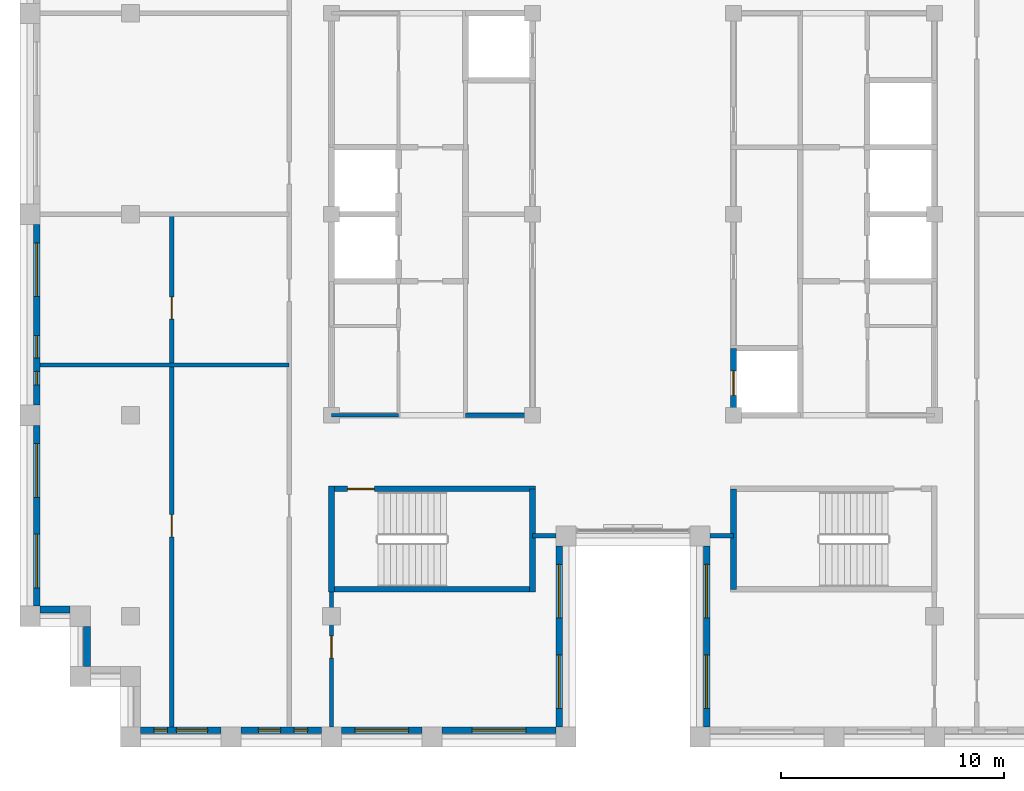
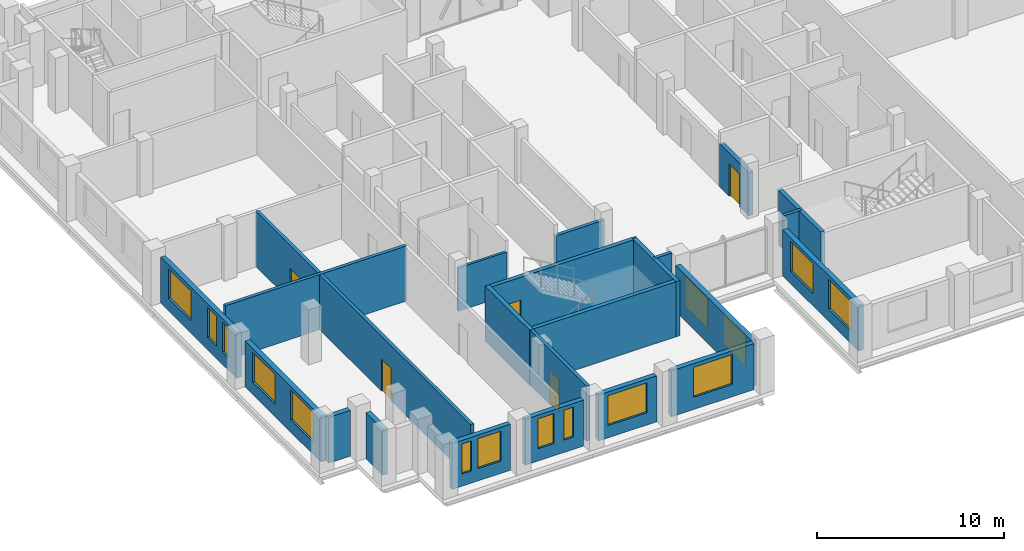
# One storey, part 6 of 13: 23 walls, 15 windows, 5 doors, 20 openings.
"""IFC4 building model written with IfcOpenShell, lengths in metres."""

from ifc_helpers import new_model, si_unit, direction, frame, frame_2d, origin, place, context, subcontext, project, spatial, rectangle, extrude, material, layer, layer_set, type_object, element, fill, save


model = new_model("IFC4")

# Units and contexts
model_context = context("Model", 3, precision=1e-05, world=origin(), true_north=direction((0.0, 1.0)))
body_context = subcontext(model_context, "Body", "Model", "MODEL_VIEW")
ifc_project = project(units=[si_unit("LENGTHUNIT", "METRE"), si_unit("AREAUNIT", "SQUARE_METRE"), si_unit("VOLUMEUNIT", "CUBIC_METRE"), si_unit("PLANEANGLEUNIT", "RADIAN"), si_unit("MASSUNIT", "GRAM", prefix="KILO")], contexts=[model_context])

# Site, building, storey
site_placement = place(None, origin())
site = spatial("IfcSite", under=ifc_project, at=site_placement, CompositionType="ELEMENT")
building_placement = place(site_placement, origin())
building = spatial("IfcBuilding", under=site, at=building_placement, Name="Corbelhall Arena Tower", CompositionType="ELEMENT")
storey_placement = place(building_placement, frame((0.0, 0.0, 316.0)))
storey = spatial("IfcBuildingStorey", under=building, at=storey_placement, Name="L69", CompositionType="ELEMENT", Elevation=316.0)

# Wall, openings, windows
ifc_material_1 = material(Name="Precast concrete C40/50 with granite facing", Category="masonry")
ifc_layer_1 = layer(ifc_material_1, 0.300048828125)
ifc_layer_set_1 = layer_set([ifc_layer_1], Name="EV-IW1 Infill panel 300")
wall_type_1 = type_object("IfcWallType", Name="EV-IW1 Infill panel 300", PredefinedType="SOLIDWALL", material=ifc_layer_set_1)
wall_1_placement = place(storey_placement, frame((-26.699951171875, -0.449951171875, 0.0), z_axis=(0.0, 0.0, 1.0), x_axis=(0.0, -1.0, 0.0)))
wall_1 = element("IfcWall", 1, at=wall_1_placement, inside=storey, type_object=wall_type_1, Name="Infill panel IW1", PredefinedType="SOLIDWALL", context=body_context, shape_type="SweptSolid", body=[
    extrude(rectangle(XDim=8.10009765625, YDim=0.300048828125, at=frame_2d((4.050048828125, 0.0))), origin(), (0.0, 0.0, 1.0), 2.989990234375),
])
opening_1_placement = place(wall_1_placement, frame((0.824951171875, 0.0, 0.800048828125)))
opening_1 = element("IfcOpeningElement", 2, at=opening_1_placement, cuts=wall_1, Name="Opening WN1", PredefinedType="OPENING", context=body_context, shape_type="SweptSolid", body=[
    extrude(rectangle(XDim=2.39990234375, YDim=1.949951171875, at=frame_2d((1.199951171875, 0.97509765625))), frame((0.0, 0.14990234375, 0.0), z_axis=(0.0, -1.0, 0.0), x_axis=(1.0, 0.0, 0.0)), (0.0, 0.0, 1.0), 0.300048828125),
])
opening_2_placement = place(wall_1_placement, frame((4.987548828125, 0.0, 0.800048828125)))
opening_2 = element("IfcOpeningElement", 3, at=opening_2_placement, cuts=wall_1, Name="Opening WN6", PredefinedType="OPENING", context=body_context, shape_type="SweptSolid", body=[
    extrude(rectangle(XDim=1.0, YDim=1.949951171875, at=frame_2d((0.5, 0.97509765625))), frame((0.0, 0.14990234375, 0.0), z_axis=(0.0, -1.0, 0.0), x_axis=(1.0, 0.0, 0.0)), (0.0, 0.0, 1.0), 0.300048828125),
])
opening_3_placement = place(wall_1_placement, frame((6.58740234375, 0.0, 0.800048828125)))
opening_3 = element("IfcOpeningElement", 4, at=opening_3_placement, cuts=wall_1, Name="Opening WN5", PredefinedType="OPENING", context=body_context, shape_type="SweptSolid", body=[
    extrude(rectangle(XDim=0.60009765625, YDim=1.949951171875, at=frame_2d((0.300048828125, 0.97509765625))), frame((0.0, 0.14990234375, 0.0), z_axis=(0.0, -1.0, 0.0), x_axis=(1.0, 0.0, 0.0)), (0.0, 0.0, 1.0), 0.300048828125),
])
ifc_material_2 = material(Name="Aluminium black anodised", Category="aluminium")
window_type_1 = type_object("IfcWindowType", Name="EV-WN1 Office window", PartitioningType="SINGLE_PANEL", PredefinedType="WINDOW", material=ifc_material_2)
window_1_placement = place(opening_1_placement, origin())
window_1 = element("IfcWindow", 5, at=window_1_placement, inside=storey, type_object=window_type_1, Name="Window WN1", OverallHeight=1.949951171875, OverallWidth=2.39990234375, PartitioningType="SINGLE_PANEL", PredefinedType="WINDOW", context=body_context, shape_type="SweptSolid", body=[
    extrude(rectangle(XDim=2.39990234375, YDim=1.949951171875, at=frame_2d((1.199951171875, 0.97509765625))), frame((0.0, 0.030029296875, 0.0), z_axis=(0.0, -1.0, 0.0), x_axis=(1.0, 0.0, 0.0)), (0.0, 0.0, 1.0), 0.06005859375),
])
fill(opening_1, window_1)
window_type_2 = type_object("IfcWindowType", Name="EV-WN5 Office window 600", PartitioningType="SINGLE_PANEL", PredefinedType="WINDOW", material=ifc_material_2)
window_2_placement = place(opening_3_placement, origin())
window_2 = element("IfcWindow", 6, at=window_2_placement, inside=storey, type_object=window_type_2, Name="Window WN5", OverallHeight=1.949951171875, OverallWidth=0.60009765625, PartitioningType="SINGLE_PANEL", PredefinedType="WINDOW", context=body_context, shape_type="SweptSolid", body=[
    extrude(rectangle(XDim=0.60009765625, YDim=1.949951171875, at=frame_2d((0.300048828125, 0.97509765625))), frame((0.0, 0.030029296875, 0.0), z_axis=(0.0, -1.0, 0.0), x_axis=(1.0, 0.0, 0.0)), (0.0, 0.0, 1.0), 0.06005859375),
])
fill(opening_3, window_2)
window_type_3 = type_object("IfcWindowType", Name="EV-WN6 Office window 1000", PartitioningType="SINGLE_PANEL", PredefinedType="WINDOW", material=ifc_material_2)
window_3_placement = place(opening_2_placement, origin())
window_3 = element("IfcWindow", 7, at=window_3_placement, inside=storey, type_object=window_type_3, Name="Window WN6", OverallHeight=1.949951171875, OverallWidth=1.0, PartitioningType="SINGLE_PANEL", PredefinedType="WINDOW", context=body_context, shape_type="SweptSolid", body=[
    extrude(rectangle(XDim=1.0, YDim=1.949951171875, at=frame_2d((0.5, 0.97509765625))), frame((0.0, 0.030029296875, 0.0), z_axis=(0.0, -1.0, 0.0), x_axis=(1.0, 0.0, 0.0)), (0.0, 0.0, 1.0), 0.06005859375),
])
fill(opening_2, window_3)

wall_2_placement = place(storey_placement, frame((-26.699951171875, -9.449951171875, 0.0), z_axis=(0.0, 0.0, 1.0), x_axis=(0.0, -1.0, 0.0)))
wall_2 = element("IfcWall", 8, at=wall_2_placement, inside=storey, type_object=wall_type_1, Name="Infill panel IW1", PredefinedType="SOLIDWALL", context=body_context, shape_type="SweptSolid", body=[
    extrude(rectangle(XDim=8.10009765625, YDim=0.300048828125, at=frame_2d((4.050048828125, 0.0))), origin(), (0.0, 0.0, 1.0), 2.989990234375),
])
opening_4_placement = place(wall_2_placement, frame((0.824951171875, 0.0, 0.800048828125)))
opening_4 = element("IfcOpeningElement", 9, at=opening_4_placement, cuts=wall_2, Name="Opening WN1", PredefinedType="OPENING", context=body_context, shape_type="SweptSolid", body=[
    extrude(rectangle(XDim=2.39990234375, YDim=1.949951171875, at=frame_2d((1.199951171875, 0.97509765625))), frame((0.0, 0.14990234375, 0.0), z_axis=(0.0, -1.0, 0.0), x_axis=(1.0, 0.0, 0.0)), (0.0, 0.0, 1.0), 0.300048828125),
])
opening_5_placement = place(wall_2_placement, frame((4.875, 0.0, 0.800048828125)))
opening_5 = element("IfcOpeningElement", 10, at=opening_5_placement, cuts=wall_2, Name="Opening WN1", PredefinedType="OPENING", context=body_context, shape_type="SweptSolid", body=[
    extrude(rectangle(XDim=2.39990234375, YDim=1.949951171875, at=frame_2d((1.199951171875, 0.97509765625))), frame((0.0, 0.14990234375, 0.0), z_axis=(0.0, -1.0, 0.0), x_axis=(1.0, 0.0, 0.0)), (0.0, 0.0, 1.0), 0.300048828125),
])
window_4_placement = place(opening_4_placement, origin())
window_4 = element("IfcWindow", 11, at=window_4_placement, inside=storey, type_object=window_type_1, Name="Window WN1", OverallHeight=1.949951171875, OverallWidth=2.39990234375, PartitioningType="SINGLE_PANEL", PredefinedType="WINDOW", context=body_context, shape_type="SweptSolid", body=[
    extrude(rectangle(XDim=2.39990234375, YDim=1.949951171875, at=frame_2d((1.199951171875, 0.97509765625))), frame((0.0, 0.030029296875, 0.0), z_axis=(0.0, -1.0, 0.0), x_axis=(1.0, 0.0, 0.0)), (0.0, 0.0, 1.0), 0.06005859375),
])
fill(opening_4, window_4)
window_5_placement = place(opening_5_placement, origin())
window_5 = element("IfcWindow", 12, at=window_5_placement, inside=storey, type_object=window_type_1, Name="Window WN1", OverallHeight=1.949951171875, OverallWidth=2.39990234375, PartitioningType="SINGLE_PANEL", PredefinedType="WINDOW", context=body_context, shape_type="SweptSolid", body=[
    extrude(rectangle(XDim=2.39990234375, YDim=1.949951171875, at=frame_2d((1.199951171875, 0.97509765625))), frame((0.0, 0.030029296875, 0.0), z_axis=(0.0, -1.0, 0.0), x_axis=(1.0, 0.0, 0.0)), (0.0, 0.0, 1.0), 0.06005859375),
])
fill(opening_5, window_5)

# Walls
wall_3_placement = place(storey_placement, frame((-26.550048828125, -17.699951171875, 0.0), z_axis=(0.0, 0.0, 1.0), x_axis=(1.0, 0.0, 0.0)))
element("IfcWall", 13, at=wall_3_placement, inside=storey, type_object=wall_type_1, Name="Infill panel IW1", PredefinedType="SOLIDWALL", context=body_context, shape_type="SweptSolid", body=[
    extrude(rectangle(XDim=1.35009765625, YDim=0.300048828125, at=frame_2d((0.675048828125, 0.0))), origin(), (0.0, 0.0, 1.0), 2.989990234375),
])
wall_4_placement = place(storey_placement, frame((-24.449951171875, -18.449951171875, 0.0), z_axis=(0.0, 0.0, 1.0), x_axis=(0.0, -1.0, 0.0)))
element("IfcWall", 14, at=wall_4_placement, inside=storey, type_object=wall_type_1, Name="Infill panel IW1", PredefinedType="SOLIDWALL", context=body_context, shape_type="SweptSolid", body=[
    extrude(rectangle(XDim=1.800048828125, YDim=0.300048828125, at=frame_2d((0.89990234375, 0.0))), origin(), (0.0, 0.0, 1.0), 2.989990234375),
])

# Wall, openings, windows
wall_5_placement = place(storey_placement, frame((-22.050048828125, -23.10009765625, 0.0), z_axis=(0.0, 0.0, 1.0), x_axis=(1.0, 0.0, 0.0)))
wall_5 = element("IfcWall", 15, at=wall_5_placement, inside=storey, type_object=wall_type_1, Name="Infill panel IW1", PredefinedType="SOLIDWALL", context=body_context, shape_type="SweptSolid", body=[
    extrude(rectangle(XDim=3.60009765625, YDim=0.300048828125, at=frame_2d((1.800048828125, 0.0))), origin(), (0.0, 0.0, 1.0), 2.989990234375),
])
opening_6_placement = place(wall_5_placement, frame((0.60009765625, 0.0, 0.800048828125)))
opening_6 = element("IfcOpeningElement", 16, at=opening_6_placement, cuts=wall_5, Name="Opening WN5", PredefinedType="OPENING", context=body_context, shape_type="SweptSolid", body=[
    extrude(rectangle(XDim=0.60009765625, YDim=1.949951171875, at=frame_2d((0.300048828125, 0.97509765625))), frame((0.0, 0.14990234375, 0.0), z_axis=(0.0, -1.0, 0.0), x_axis=(1.0, 0.0, 0.0)), (0.0, 0.0, 1.0), 0.300048828125),
])
opening_7_placement = place(wall_5_placement, frame((1.60009765625, 0.0, 0.800048828125)))
opening_7 = element("IfcOpeningElement", 17, at=opening_7_placement, cuts=wall_5, Name="Opening WN7", PredefinedType="OPENING", context=body_context, shape_type="SweptSolid", body=[
    extrude(rectangle(XDim=1.39990234375, YDim=1.949951171875, at=frame_2d((0.699951171875, 0.97509765625))), frame((0.0, 0.14990234375, 0.0), z_axis=(0.0, -1.0, 0.0), x_axis=(1.0, 0.0, 0.0)), (0.0, 0.0, 1.0), 0.300048828125),
])
window_6_placement = place(opening_6_placement, origin())
window_6 = element("IfcWindow", 18, at=window_6_placement, inside=storey, type_object=window_type_2, Name="Window WN5", OverallHeight=1.949951171875, OverallWidth=0.60009765625, PartitioningType="SINGLE_PANEL", PredefinedType="WINDOW", context=body_context, shape_type="SweptSolid", body=[
    extrude(rectangle(XDim=0.60009765625, YDim=1.949951171875, at=frame_2d((0.300048828125, 0.97509765625))), frame((0.0, 0.030029296875, 0.0), z_axis=(0.0, -1.0, 0.0), x_axis=(1.0, 0.0, 0.0)), (0.0, 0.0, 1.0), 0.06005859375),
])
fill(opening_6, window_6)
window_type_4 = type_object("IfcWindowType", Name="EV-WN7 Office window 1400", PartitioningType="SINGLE_PANEL", PredefinedType="WINDOW", material=ifc_material_2)
window_7_placement = place(opening_7_placement, origin())
window_7 = element("IfcWindow", 19, at=window_7_placement, inside=storey, type_object=window_type_4, Name="Window WN7", OverallHeight=1.949951171875, OverallWidth=1.39990234375, PartitioningType="SINGLE_PANEL", PredefinedType="WINDOW", context=body_context, shape_type="SweptSolid", body=[
    extrude(rectangle(XDim=1.39990234375, YDim=1.949951171875, at=frame_2d((0.699951171875, 0.97509765625))), frame((0.0, 0.030029296875, 0.0), z_axis=(0.0, -1.0, 0.0), x_axis=(1.0, 0.0, 0.0)), (0.0, 0.0, 1.0), 0.06005859375),
])
fill(opening_7, window_7)

wall_6_placement = place(storey_placement, frame((-17.550048828125, -23.10009765625, 0.0), z_axis=(0.0, 0.0, 1.0), x_axis=(1.0, 0.0, 0.0)))
wall_6 = element("IfcWall", 20, at=wall_6_placement, inside=storey, type_object=wall_type_1, Name="Infill panel IW1", PredefinedType="SOLIDWALL", context=body_context, shape_type="SweptSolid", body=[
    extrude(rectangle(XDim=3.60009765625, YDim=0.300048828125, at=frame_2d((1.800048828125, 0.0))), origin(), (0.0, 0.0, 1.0), 2.989990234375),
])
opening_8_placement = place(wall_6_placement, frame((0.77490234375, 0.0, 0.800048828125)))
opening_8 = element("IfcOpeningElement", 21, at=opening_8_placement, cuts=wall_6, Name="Opening WN6", PredefinedType="OPENING", context=body_context, shape_type="SweptSolid", body=[
    extrude(rectangle(XDim=1.0, YDim=1.949951171875, at=frame_2d((0.5, 0.97509765625))), frame((0.0, 0.14990234375, 0.0), z_axis=(0.0, -1.0, 0.0), x_axis=(1.0, 0.0, 0.0)), (0.0, 0.0, 1.0), 0.300048828125),
])
opening_9_placement = place(wall_6_placement, frame((2.375, 0.0, 0.800048828125)))
opening_9 = element("IfcOpeningElement", 22, at=opening_9_placement, cuts=wall_6, Name="Opening WN5", PredefinedType="OPENING", context=body_context, shape_type="SweptSolid", body=[
    extrude(rectangle(XDim=0.60009765625, YDim=1.949951171875, at=frame_2d((0.300048828125, 0.97509765625))), frame((0.0, 0.14990234375, 0.0), z_axis=(0.0, -1.0, 0.0), x_axis=(1.0, 0.0, 0.0)), (0.0, 0.0, 1.0), 0.300048828125),
])
window_8_placement = place(opening_9_placement, origin())
window_8 = element("IfcWindow", 23, at=window_8_placement, inside=storey, type_object=window_type_2, Name="Window WN5", OverallHeight=1.949951171875, OverallWidth=0.60009765625, PartitioningType="SINGLE_PANEL", PredefinedType="WINDOW", context=body_context, shape_type="SweptSolid", body=[
    extrude(rectangle(XDim=0.60009765625, YDim=1.949951171875, at=frame_2d((0.300048828125, 0.97509765625))), frame((0.0, 0.030029296875, 0.0), z_axis=(0.0, -1.0, 0.0), x_axis=(1.0, 0.0, 0.0)), (0.0, 0.0, 1.0), 0.06005859375),
])
fill(opening_9, window_8)
window_9_placement = place(opening_8_placement, origin())
window_9 = element("IfcWindow", 24, at=window_9_placement, inside=storey, type_object=window_type_3, Name="Window WN6", OverallHeight=1.949951171875, OverallWidth=1.0, PartitioningType="SINGLE_PANEL", PredefinedType="WINDOW", context=body_context, shape_type="SweptSolid", body=[
    extrude(rectangle(XDim=1.0, YDim=1.949951171875, at=frame_2d((0.5, 0.97509765625))), frame((0.0, 0.030029296875, 0.0), z_axis=(0.0, -1.0, 0.0), x_axis=(1.0, 0.0, 0.0)), (0.0, 0.0, 1.0), 0.06005859375),
])
fill(opening_8, window_9)

# Wall, opening, window
wall_7_placement = place(storey_placement, frame((-13.050048828125, -23.10009765625, 0.0), z_axis=(0.0, 0.0, 1.0), x_axis=(1.0, 0.0, 0.0)))
wall_7 = element("IfcWall", 25, at=wall_7_placement, inside=storey, type_object=wall_type_1, Name="Infill panel IW1", PredefinedType="SOLIDWALL", context=body_context, shape_type="SweptSolid", body=[
    extrude(rectangle(XDim=3.60009765625, YDim=0.300048828125, at=frame_2d((1.800048828125, 0.0))), origin(), (0.0, 0.0, 1.0), 2.989990234375),
])
opening_10_placement = place(wall_7_placement, frame((0.60009765625, 0.0, 0.800048828125)))
opening_10 = element("IfcOpeningElement", 26, at=opening_10_placement, cuts=wall_7, Name="Opening WN1", PredefinedType="OPENING", context=body_context, shape_type="SweptSolid", body=[
    extrude(rectangle(XDim=2.39990234375, YDim=1.949951171875, at=frame_2d((1.199951171875, 0.97509765625))), frame((0.0, 0.14990234375, 0.0), z_axis=(0.0, -1.0, 0.0), x_axis=(1.0, 0.0, 0.0)), (0.0, 0.0, 1.0), 0.300048828125),
])
window_10_placement = place(opening_10_placement, origin())
window_10 = element("IfcWindow", 27, at=window_10_placement, inside=storey, type_object=window_type_1, Name="Window WN1", OverallHeight=1.949951171875, OverallWidth=2.39990234375, PartitioningType="SINGLE_PANEL", PredefinedType="WINDOW", context=body_context, shape_type="SweptSolid", body=[
    extrude(rectangle(XDim=2.39990234375, YDim=1.949951171875, at=frame_2d((1.199951171875, 0.97509765625))), frame((0.0, 0.030029296875, 0.0), z_axis=(0.0, -1.0, 0.0), x_axis=(1.0, 0.0, 0.0)), (0.0, 0.0, 1.0), 0.06005859375),
])
fill(opening_10, window_10)

wall_8_placement = place(storey_placement, frame((-8.550048828125, -23.10009765625, 0.0), z_axis=(0.0, 0.0, 1.0), x_axis=(1.0, 0.0, 0.0)))
wall_8 = element("IfcWall", 28, at=wall_8_placement, inside=storey, type_object=wall_type_1, Name="Infill panel IW1", PredefinedType="SOLIDWALL", context=body_context, shape_type="SweptSolid", body=[
    extrude(rectangle(XDim=5.10009765625, YDim=0.300048828125, at=frame_2d((2.550048828125, 0.0))), origin(), (0.0, 0.0, 1.0), 2.989990234375),
])
opening_11_placement = place(wall_8_placement, frame((1.35009765625, 0.0, 0.800048828125)))
opening_11 = element("IfcOpeningElement", 29, at=opening_11_placement, cuts=wall_8, Name="Opening WN1", PredefinedType="OPENING", context=body_context, shape_type="SweptSolid", body=[
    extrude(rectangle(XDim=2.39990234375, YDim=1.949951171875, at=frame_2d((1.199951171875, 0.97509765625))), frame((0.0, 0.14990234375, 0.0), z_axis=(0.0, -1.0, 0.0), x_axis=(1.0, 0.0, 0.0)), (0.0, 0.0, 1.0), 0.300048828125),
])
window_11_placement = place(opening_11_placement, origin())
window_11 = element("IfcWindow", 30, at=window_11_placement, inside=storey, type_object=window_type_1, Name="Window WN1", OverallHeight=1.949951171875, OverallWidth=2.39990234375, PartitioningType="SINGLE_PANEL", PredefinedType="WINDOW", context=body_context, shape_type="SweptSolid", body=[
    extrude(rectangle(XDim=2.39990234375, YDim=1.949951171875, at=frame_2d((1.199951171875, 0.97509765625))), frame((0.0, 0.030029296875, 0.0), z_axis=(0.0, -1.0, 0.0), x_axis=(1.0, 0.0, 0.0)), (0.0, 0.0, 1.0), 0.06005859375),
])
fill(opening_11, window_11)

# Wall, openings, windows
wall_9_placement = place(storey_placement, frame((-3.300048828125, -22.949951171875, 0.0), z_axis=(0.0, 0.0, 1.0), x_axis=(0.0, 1.0, 0.0)))
wall_9 = element("IfcWall", 31, at=wall_9_placement, inside=storey, type_object=wall_type_1, Name="Infill panel IW1", PredefinedType="SOLIDWALL", context=body_context, shape_type="SweptSolid", body=[
    extrude(rectangle(XDim=8.099853515625, YDim=0.300048828125, at=frame_2d((4.0498046875, 0.0))), origin(), (0.0, 0.0, 1.0), 2.989990234375),
])
opening_12_placement = place(wall_9_placement, frame((0.824951171875, 0.0, 0.800048828125)))
opening_12 = element("IfcOpeningElement", 32, at=opening_12_placement, cuts=wall_9, Name="Opening WN1", PredefinedType="OPENING", context=body_context, shape_type="SweptSolid", body=[
    extrude(rectangle(XDim=2.39990234375, YDim=1.949951171875, at=frame_2d((1.199951171875, 0.97509765625))), frame((0.0, 0.14990234375, 0.0), z_axis=(0.0, -1.0, 0.0), x_axis=(1.0, 0.0, 0.0)), (0.0, 0.0, 1.0), 0.300048828125),
])
opening_13_placement = place(wall_9_placement, frame((4.875, 0.0, 0.800048828125)))
opening_13 = element("IfcOpeningElement", 33, at=opening_13_placement, cuts=wall_9, Name="Opening WN1", PredefinedType="OPENING", context=body_context, shape_type="SweptSolid", body=[
    extrude(rectangle(XDim=2.39990234375, YDim=1.949951171875, at=frame_2d((1.199951171875, 0.97509765625))), frame((0.0, 0.14990234375, 0.0), z_axis=(0.0, -1.0, 0.0), x_axis=(1.0, 0.0, 0.0)), (0.0, 0.0, 1.0), 0.300048828125),
])
window_12_placement = place(opening_12_placement, origin())
window_12 = element("IfcWindow", 34, at=window_12_placement, inside=storey, type_object=window_type_1, Name="Window WN1", OverallHeight=1.949951171875, OverallWidth=2.39990234375, PartitioningType="SINGLE_PANEL", PredefinedType="WINDOW", context=body_context, shape_type="SweptSolid", body=[
    extrude(rectangle(XDim=2.39990234375, YDim=1.949951171875, at=frame_2d((1.199951171875, 0.97509765625))), frame((0.0, 0.030029296875, 0.0), z_axis=(0.0, -1.0, 0.0), x_axis=(1.0, 0.0, 0.0)), (0.0, 0.0, 1.0), 0.06005859375),
])
fill(opening_12, window_12)
window_13_placement = place(opening_13_placement, origin())
window_13 = element("IfcWindow", 35, at=window_13_placement, inside=storey, type_object=window_type_1, Name="Window WN1", OverallHeight=1.949951171875, OverallWidth=2.39990234375, PartitioningType="SINGLE_PANEL", PredefinedType="WINDOW", context=body_context, shape_type="SweptSolid", body=[
    extrude(rectangle(XDim=2.39990234375, YDim=1.949951171875, at=frame_2d((1.199951171875, 0.97509765625))), frame((0.0, 0.030029296875, 0.0), z_axis=(0.0, -1.0, 0.0), x_axis=(1.0, 0.0, 0.0)), (0.0, 0.0, 1.0), 0.06005859375),
])
fill(opening_13, window_13)

wall_10_placement = place(storey_placement, frame((3.300048828125, -14.85009765625, 0.0), z_axis=(0.0, 0.0, 1.0), x_axis=(0.0, -1.0, 0.0)))
wall_10 = element("IfcWall", 36, at=wall_10_placement, inside=storey, type_object=wall_type_1, Name="Infill panel IW1", PredefinedType="SOLIDWALL", context=body_context, shape_type="SweptSolid", body=[
    extrude(rectangle(XDim=8.099853515625, YDim=0.300048828125, at=frame_2d((4.0498046875, 0.0))), origin(), (0.0, 0.0, 1.0), 2.989990234375),
])
opening_14_placement = place(wall_10_placement, frame((0.824951171875, 0.0, 0.800048828125)))
opening_14 = element("IfcOpeningElement", 37, at=opening_14_placement, cuts=wall_10, Name="Opening WN1", PredefinedType="OPENING", context=body_context, shape_type="SweptSolid", body=[
    extrude(rectangle(XDim=2.39990234375, YDim=1.949951171875, at=frame_2d((1.199951171875, 0.97509765625))), frame((0.0, 0.14990234375, 0.0), z_axis=(0.0, -1.0, 0.0), x_axis=(1.0, 0.0, 0.0)), (0.0, 0.0, 1.0), 0.300048828125),
])
opening_15_placement = place(wall_10_placement, frame((4.875, 0.0, 0.800048828125)))
opening_15 = element("IfcOpeningElement", 38, at=opening_15_placement, cuts=wall_10, Name="Opening WN1", PredefinedType="OPENING", context=body_context, shape_type="SweptSolid", body=[
    extrude(rectangle(XDim=2.39990234375, YDim=1.949951171875, at=frame_2d((1.199951171875, 0.97509765625))), frame((0.0, 0.14990234375, 0.0), z_axis=(0.0, -1.0, 0.0), x_axis=(1.0, 0.0, 0.0)), (0.0, 0.0, 1.0), 0.300048828125),
])
window_14_placement = place(opening_14_placement, origin())
window_14 = element("IfcWindow", 39, at=window_14_placement, inside=storey, type_object=window_type_1, Name="Window WN1", OverallHeight=1.949951171875, OverallWidth=2.39990234375, PartitioningType="SINGLE_PANEL", PredefinedType="WINDOW", context=body_context, shape_type="SweptSolid", body=[
    extrude(rectangle(XDim=2.39990234375, YDim=1.949951171875, at=frame_2d((1.199951171875, 0.97509765625))), frame((0.0, 0.030029296875, 0.0), z_axis=(0.0, -1.0, 0.0), x_axis=(1.0, 0.0, 0.0)), (0.0, 0.0, 1.0), 0.06005859375),
])
fill(opening_14, window_14)
window_15_placement = place(opening_15_placement, origin())
window_15 = element("IfcWindow", 40, at=window_15_placement, inside=storey, type_object=window_type_1, Name="Window WN1", OverallHeight=1.949951171875, OverallWidth=2.39990234375, PartitioningType="SINGLE_PANEL", PredefinedType="WINDOW", context=body_context, shape_type="SweptSolid", body=[
    extrude(rectangle(XDim=2.39990234375, YDim=1.949951171875, at=frame_2d((1.199951171875, 0.97509765625))), frame((0.0, 0.030029296875, 0.0), z_axis=(0.0, -1.0, 0.0), x_axis=(1.0, 0.0, 0.0)), (0.0, 0.0, 1.0), 0.06005859375),
])
fill(opening_15, window_15)

# Wall
ifc_material_3 = material(Name="Gypsum board on steel stud, acoustic", Category="steel")
ifc_layer_2 = layer(ifc_material_3, 0.199951171875)
ifc_layer_set_2 = layer_set([ifc_layer_2], Name="IN-W-DM200")
wall_type_2 = type_object("IfcWallType", Name="IN-W-DM200", PredefinedType="PARTITIONING", material=ifc_layer_set_2)
wall_11_placement = place(storey_placement, frame((-26.550048828125, -6.75, 0.0), z_axis=(0.0, 0.0, 1.0), x_axis=(1.0, 0.0, 0.0)))
element("IfcWall", 41, at=wall_11_placement, inside=storey, type_object=wall_type_2, Name="Partition 001", PredefinedType="PARTITIONING", context=body_context, shape_type="SweptSolid", body=[
    extrude(rectangle(XDim=11.150146484375, YDim=0.199951171875, at=frame_2d((5.5751953125, 0.0))), origin(), (0.0, 0.0, 1.0), 3.590087890625),
])

# Wall, openings, doors
wall_12_placement = place(storey_placement, frame((-20.64990234375, -22.949951171875, 0.0), z_axis=(0.0, 0.0, 1.0), x_axis=(0.0, 1.0, 0.0)))
wall_12 = element("IfcWall", 42, at=wall_12_placement, inside=storey, type_object=wall_type_2, Name="Partition 005", PredefinedType="PARTITIONING", context=body_context, shape_type="SweptSolid", body=[
    extrude(rectangle(XDim=22.949951171875, YDim=0.199951171875, at=frame_2d((11.47509765625, 0.0))), origin(), (0.0, 0.0, 1.0), 3.590087890625),
])
opening_16_placement = place(wall_12_placement, frame((8.5, 0.0, 0.0)))
opening_16 = element("IfcOpeningElement", 43, at=opening_16_placement, cuts=wall_12, Name="Opening 22024", PredefinedType="OPENING", context=body_context, shape_type="SweptSolid", body=[
    extrude(rectangle(XDim=1.0, YDim=2.10009765625, at=frame_2d((0.5, 1.050048828125))), frame((0.0, 0.10009765625, 0.0), z_axis=(0.0, -1.0, 0.0), x_axis=(1.0, 0.0, 0.0)), (0.0, 0.0, 1.0), 0.199951171875),
])
opening_17_placement = place(wall_12_placement, frame((18.25, 0.0, 0.0)))
opening_17 = element("IfcOpeningElement", 44, at=opening_17_placement, cuts=wall_12, Name="Opening 22026", PredefinedType="OPENING", context=body_context, shape_type="SweptSolid", body=[
    extrude(rectangle(XDim=1.0, YDim=2.10009765625, at=frame_2d((0.5, 1.050048828125))), frame((0.0, 0.10009765625, 0.0), z_axis=(0.0, -1.0, 0.0), x_axis=(1.0, 0.0, 0.0)), (0.0, 0.0, 1.0), 0.199951171875),
])
ifc_material_4 = material(Name="Steel door set", Category="steel")
door_type_1 = type_object("IfcDoorType", Name="IN-D-SW100", OperationType="NOTDEFINED", PredefinedType="DOOR", material=ifc_material_4)
door_1_placement = place(opening_16_placement, origin())
door_1 = element("IfcDoor", 45, at=door_1_placement, inside=storey, type_object=door_type_1, Name="Door 024", OperationType="SINGLE_SWING_LEFT", OverallHeight=2.10009765625, OverallWidth=1.0, PredefinedType="DOOR", context=body_context, shape_type="SweptSolid", body=[
    extrude(rectangle(XDim=1.0, YDim=2.10009765625, at=frame_2d((0.5, 1.050048828125))), frame((0.0, 0.02490234375, 0.0), z_axis=(0.0, -1.0, 0.0), x_axis=(1.0, 0.0, 0.0)), (0.0, 0.0, 1.0), 0.050048828125),
])
fill(opening_16, door_1)
door_2_placement = place(opening_17_placement, origin())
door_2 = element("IfcDoor", 46, at=door_2_placement, inside=storey, type_object=door_type_1, Name="Door 026", OperationType="SINGLE_SWING_LEFT", OverallHeight=2.10009765625, OverallWidth=1.0, PredefinedType="DOOR", context=body_context, shape_type="SweptSolid", body=[
    extrude(rectangle(XDim=1.0, YDim=2.10009765625, at=frame_2d((0.5, 1.050048828125))), frame((0.0, 0.02490234375, 0.0), z_axis=(0.0, -1.0, 0.0), x_axis=(1.0, 0.0, 0.0)), (0.0, 0.0, 1.0), 0.050048828125),
])
fill(opening_17, door_2)

# Wall, opening, door
wall_13_placement = place(storey_placement, frame((-13.5, -16.675048828125, 0.0), z_axis=(0.0, 0.0, 1.0), x_axis=(0.0, -1.0, 0.0)))
wall_13 = element("IfcWall", 47, at=wall_13_placement, inside=storey, type_object=wall_type_2, Name="Partition 011", PredefinedType="PARTITIONING", context=body_context, shape_type="SweptSolid", body=[
    extrude(rectangle(XDim=6.27490234375, YDim=0.199951171875, at=frame_2d((3.137451171875, 0.0))), origin(), (0.0, 0.0, 1.0), 3.590087890625),
])
opening_18_placement = place(wall_13_placement, frame((2.199951171875, 0.0, 0.0)))
opening_18 = element("IfcOpeningElement", 48, at=opening_18_placement, cuts=wall_13, Name="Opening 22019", PredefinedType="OPENING", context=body_context, shape_type="SweptSolid", body=[
    extrude(rectangle(XDim=1.0, YDim=2.10009765625, at=frame_2d((0.5, 1.050048828125))), frame((0.0, 0.10009765625, 0.0), z_axis=(0.0, -1.0, 0.0), x_axis=(1.0, 0.0, 0.0)), (0.0, 0.0, 1.0), 0.199951171875),
])
door_3_placement = place(opening_18_placement, origin())
door_3 = element("IfcDoor", 49, at=door_3_placement, inside=storey, type_object=door_type_1, Name="Door 019", OperationType="SINGLE_SWING_RIGHT", OverallHeight=2.10009765625, OverallWidth=1.0, PredefinedType="DOOR", context=body_context, shape_type="SweptSolid", body=[
    extrude(rectangle(XDim=1.0, YDim=2.10009765625, at=frame_2d((0.5, 1.050048828125))), frame((0.0, 0.02490234375, 0.0), z_axis=(0.0, -1.0, 0.0), x_axis=(1.0, 0.0, 0.0)), (0.0, 0.0, 1.0), 0.050048828125),
])
fill(opening_18, door_3)

# Walls
for number, where, z_axis, x_axis, name in (
    (50, (-3.449951171875, -14.39990234375, 0.0), (0.0, 0.0, 1.0), (-1.0, 0.0, 0.0), "Partition 013"),
    (51, (4.5, -14.39990234375, 0.0), (0.0, 0.0, 1.0), (-1.0, 0.0, 0.0), "Partition 015"),
):
    element("IfcWall", number, at=place(storey_placement, frame(where, z_axis=z_axis, x_axis=x_axis)), inside=storey, type_object=wall_type_2, Name=name, PredefinedType="PARTITIONING", context=body_context, shape_type="SweptSolid", body=[
        extrude(rectangle(XDim=1.050048828125, YDim=0.199951171875, at=frame_2d((0.52490234375, 0.0))), origin(), (0.0, 0.0, 1.0), 3.590087890625),
    ])
ifc_material_5 = material(Name="Concrete block wall", Category="concrete")
ifc_layer_3 = layer(ifc_material_5, 0.199951171875)
ifc_layer_set_3 = layer_set([ifc_layer_3], Name="IN-W-RS200 under beam 762 mm")
wall_type_3 = type_object("IfcWallType", Name="IN-W-RS200 under beam 762 mm", PredefinedType="SOLIDWALL", material=ifc_layer_set_3)
wall_14_placement = place(storey_placement, frame((-4.5, -9.0, 0.0), z_axis=(0.0, 0.0, 1.0), x_axis=(-1.0, 0.0, 0.0)))
element("IfcWall", 52, at=wall_14_placement, inside=storey, type_object=wall_type_3, Name="Partition 029", PredefinedType="SOLIDWALL", context=body_context, shape_type="SweptSolid", body=[
    extrude(rectangle(XDim=3.0, YDim=0.199951171875, at=frame_2d((1.5, 0.0))), origin(), (0.0, 0.0, 1.0), 2.827880859375),
])

# Wall, opening, door
ifc_material_6 = material(Name="Concrete C40/50", Category="concrete")
ifc_layer_4 = layer(ifc_material_6, 0.25)
ifc_layer_set_4 = layer_set([ifc_layer_4], Name="IN-W-SH250 under beam 762 mm")
wall_type_4 = type_object("IfcWallType", Name="IN-W-SH250 under beam 762 mm", PredefinedType="SOLIDWALL", material=ifc_layer_set_4)
wall_15_placement = place(storey_placement, frame((4.5, -9.125, 0.0), z_axis=(0.0, 0.0, 1.0), x_axis=(0.0, 1.0, 0.0)))
wall_15 = element("IfcWall", 53, at=wall_15_placement, inside=storey, type_object=wall_type_4, Name="Shaft wall 052", PredefinedType="SOLIDWALL", context=body_context, shape_type="SweptSolid", body=[
    extrude(rectangle(XDim=3.125, YDim=0.25, at=frame_2d((1.5625, 0.0))), origin(), (0.0, 0.0, 1.0), 2.827880859375),
])
opening_19_placement = place(wall_15_placement, frame((1.012451171875, 0.0, 0.0)))
opening_19 = element("IfcOpeningElement", 54, at=opening_19_placement, cuts=wall_15, Name="Opening LD", PredefinedType="OPENING", context=body_context, shape_type="SweptSolid", body=[
    extrude(rectangle(XDim=1.10009765625, YDim=2.10009765625, at=frame_2d((0.550048828125, 1.050048828125))), frame((0.0, 0.125, 0.0), z_axis=(0.0, -1.0, 0.0), x_axis=(1.0, 0.0, 0.0)), (0.0, 0.0, 1.0), 0.25),
])
door_type_2 = type_object("IfcDoorType", Name="IN-D-LD110", OperationType="NOTDEFINED", PredefinedType="DOOR", material=ifc_material_4)
door_4_placement = place(opening_19_placement, origin())
door_4 = element("IfcDoor", 55, at=door_4_placement, inside=storey, type_object=door_type_2, Name="Landing door E1", OperationType="SLIDING_TO_LEFT", OverallHeight=2.10009765625, OverallWidth=1.10009765625, PredefinedType="DOOR", context=body_context, shape_type="SweptSolid", body=[
    extrude(rectangle(XDim=1.10009765625, YDim=2.10009765625, at=frame_2d((0.550048828125, 1.050048828125))), frame((0.0, 0.02490234375, 0.0), z_axis=(0.0, -1.0, 0.0), x_axis=(1.0, 0.0, 0.0)), (0.0, 0.0, 1.0), 0.050048828125),
])
fill(opening_19, door_4)

# Walls
ifc_layer_5 = layer(ifc_material_6, 0.25)
ifc_layer_set_5 = layer_set([ifc_layer_5], Name="IN-W-ST250")
wall_type_5 = type_object("IfcWallType", Name="IN-W-ST250", PredefinedType="SOLIDWALL", material=ifc_layer_set_5)
wall_16_placement = place(storey_placement, frame((-13.5, -12.175048828125, 0.0), z_axis=(0.0, 0.0, 1.0), x_axis=(0.0, -1.0, 0.0)))
element("IfcWall", 56, at=wall_16_placement, inside=storey, type_object=wall_type_5, Name="Shaft wall 062", PredefinedType="SOLIDWALL", context=body_context, shape_type="SweptSolid", body=[
    extrude(rectangle(XDim=4.75, YDim=0.25, at=frame_2d((2.375, 0.0))), origin(), (0.0, 0.0, 1.0), 3.590087890625),
])
wall_17_placement = place(storey_placement, frame((-4.5, -16.800048828125, 0.0), z_axis=(0.0, 0.0, 1.0), x_axis=(-1.0, 0.0, 0.0)))
element("IfcWall", 57, at=wall_17_placement, inside=storey, type_object=wall_type_5, Name="Shaft wall 066", PredefinedType="SOLIDWALL", context=body_context, shape_type="SweptSolid", body=[
    extrude(rectangle(XDim=9.0, YDim=0.25, at=frame_2d((4.5, 0.0))), origin(), (0.0, 0.0, 1.0), 3.590087890625),
])
wall_18_placement = place(storey_placement, frame((-4.5, -12.300048828125, 0.0), z_axis=(0.0, 0.0, 1.0), x_axis=(0.0, -1.0, 0.0)))
element("IfcWall", 58, at=wall_18_placement, inside=storey, type_object=wall_type_5, Name="Shaft wall 067", PredefinedType="SOLIDWALL", context=body_context, shape_type="SweptSolid", body=[
    extrude(rectangle(XDim=4.625, YDim=0.25, at=frame_2d((2.3125, 0.0))), origin(), (0.0, 0.0, 1.0), 3.590087890625),
])

# Wall, opening, door
wall_19_placement = place(storey_placement, frame((-4.375, -12.300048828125, 0.0), z_axis=(0.0, 0.0, 1.0), x_axis=(-1.0, 0.0, 0.0)))
wall_19 = element("IfcWall", 59, at=wall_19_placement, inside=storey, type_object=wall_type_5, Name="Shaft wall 069", PredefinedType="SOLIDWALL", context=body_context, shape_type="SweptSolid", body=[
    extrude(rectangle(XDim=9.125, YDim=0.25, at=frame_2d((4.5625, 0.0))), origin(), (0.0, 0.0, 1.0), 3.590087890625),
])
opening_20_placement = place(wall_19_placement, frame((7.199951171875, 0.0, 0.0)))
opening_20 = element("IfcOpeningElement", 60, at=opening_20_placement, cuts=wall_19, Name="Opening 22015", PredefinedType="OPENING", context=body_context, shape_type="SweptSolid", body=[
    extrude(rectangle(XDim=1.199951171875, YDim=2.10009765625, at=frame_2d((0.60009765625, 1.050048828125))), frame((0.0, 0.125, 0.0), z_axis=(0.0, -1.0, 0.0), x_axis=(1.0, 0.0, 0.0)), (0.0, 0.0, 1.0), 0.25),
])
door_type_3 = type_object("IfcDoorType", Name="IN-D-ST120", OperationType="NOTDEFINED", PredefinedType="DOOR", material=ifc_material_4)
door_5_placement = place(opening_20_placement, origin())
door_5 = element("IfcDoor", 61, at=door_5_placement, inside=storey, type_object=door_type_3, Name="Door 015", OperationType="SINGLE_SWING_RIGHT", OverallHeight=2.10009765625, OverallWidth=1.199951171875, PredefinedType="DOOR", context=body_context, shape_type="SweptSolid", body=[
    extrude(rectangle(XDim=1.199951171875, YDim=2.10009765625, at=frame_2d((0.60009765625, 1.050048828125))), frame((0.0, 0.02490234375, 0.0), z_axis=(0.0, -1.0, 0.0), x_axis=(1.0, 0.0, 0.0)), (0.0, 0.0, 1.0), 0.050048828125),
])
fill(opening_20, door_5)

# Walls
wall_20_placement = place(storey_placement, frame((4.5, -16.800048828125, 0.0), z_axis=(0.0, 0.0, 1.0), x_axis=(0.0, 1.0, 0.0)))
element("IfcWall", 62, at=wall_20_placement, inside=storey, type_object=wall_type_5, Name="Shaft wall 072", PredefinedType="SOLIDWALL", context=body_context, shape_type="SweptSolid", body=[
    extrude(rectangle(XDim=4.5, YDim=0.25, at=frame_2d((2.25, 0.0))), origin(), (0.0, 0.0, 1.0), 3.590087890625),
])
ifc_material_7 = material(Name="Gypsum board on steel stud, moisture resistant", Category="steel")
ifc_layer_6 = layer(ifc_material_7, 0.14990234375)
ifc_layer_set_6 = layer_set([ifc_layer_6], Name="IN-W-WC150 under beam 762 mm")
wall_type_6 = type_object("IfcWallType", Name="IN-W-WC150 under beam 762 mm", PredefinedType="PARTITIONING", material=ifc_layer_set_6)
wall_21_placement = place(storey_placement, frame((-10.5, -9.0, 0.0), z_axis=(0.0, 0.0, 1.0), x_axis=(-1.0, 0.0, 0.0)))
element("IfcWall", 63, at=wall_21_placement, inside=storey, type_object=wall_type_6, Name="Partition 083", PredefinedType="PARTITIONING", context=body_context, shape_type="SweptSolid", body=[
    extrude(rectangle(XDim=3.0, YDim=0.14990234375, at=frame_2d((1.5, 0.0))), origin(), (0.0, 0.0, 1.0), 2.827880859375),
])

save(model, "model.ifc")
